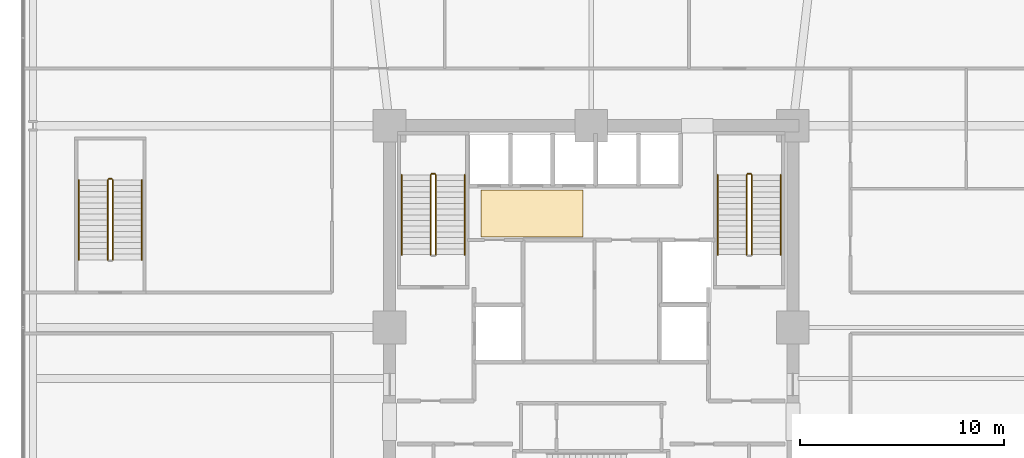
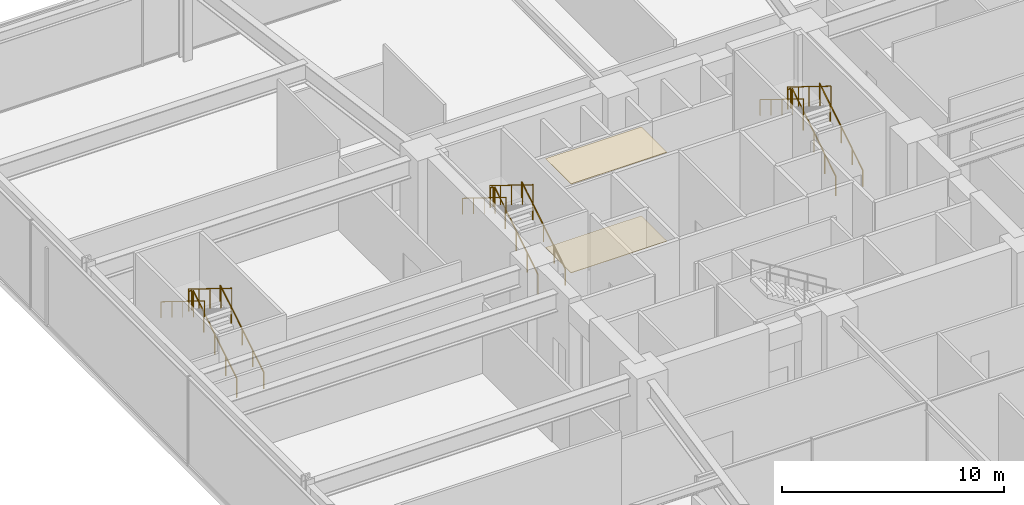
# One storey, part 48 of 49: 15 railings, 2 coverings.
"""IFC4 building model written with IfcOpenShell, lengths in metres."""

from ifc_helpers import new_model, si_unit, direction, frame, origin, origin_2d, place, context, subcontext, project, spatial, polyline, circle, outline, extrude, material, layer, layer_set, type_object, element, save


model = new_model("IFC4")

# Units and contexts
model_context = context("Model", 3, precision=1e-05, world=origin(), true_north=direction((0.0, 1.0)))
body_context = subcontext(model_context, "Body", "Model", "MODEL_VIEW")
ifc_project = project(units=[si_unit("LENGTHUNIT", "METRE"), si_unit("AREAUNIT", "SQUARE_METRE"), si_unit("VOLUMEUNIT", "CUBIC_METRE"), si_unit("PLANEANGLEUNIT", "RADIAN"), si_unit("MASSUNIT", "GRAM", prefix="KILO")], contexts=[model_context])

# Site, building, storey
site_placement = place(None, origin())
site = spatial("IfcSite", under=ifc_project, at=site_placement, CompositionType="ELEMENT")
building_placement = place(site_placement, origin())
building = spatial("IfcBuilding", under=site, at=building_placement, Name="Kolvaren Belvedere", CompositionType="ELEMENT")
storey_placement = place(building_placement, frame((0.0, 0.0, 10.0)))
storey = spatial("IfcBuildingStorey", under=building, at=storey_placement, Name="L03", CompositionType="ELEMENT", Elevation=10.0)

# Coverings
ifc_material_1 = material(Name="Acoustic perforated gypsum board", Category="gypsum")
ifc_layer_1 = layer(ifc_material_1, 0.02490234375)
ifc_layer_set_1 = layer_set([ifc_layer_1], Name="Acoustic perforated gypsum board")
covering_type_1 = type_object("IfcCoveringType", Name="COV-CEIL-GYP", PredefinedType="CEILING", material=ifc_layer_set_1)
covering_1_placement = place(storey_placement, frame((0.0, 0.0, 4.89501953125)))
element("IfcCovering", 1, at=covering_1_placement, inside=storey, type_object=covering_type_1, Name="L03 Lift Lobby Acoustic Baffle Ceiling", PredefinedType="CEILING", context=body_context, shape_type="SweptSolid", body=[
    extrude(outline(polyline([(-5.39990234375, 4.449951171875), (-0.39990234375, 4.449951171875), (-0.39990234375, 6.75), (-5.39990234375, 6.75), (-5.39990234375, 4.449951171875)])), origin(), (0.0, 0.0, 1.0), 0.02490234375),
])
ifc_material_2 = material(Name="Honed Cascade basalt stone", Category="masonry")
ifc_layer_2 = layer(ifc_material_2, 0.02490234375)
ifc_layer_set_2 = layer_set([ifc_layer_2], Name="Honed Cascade basalt stone")
covering_type_2 = type_object("IfcCoveringType", Name="COV-FLR-STONE", PredefinedType="FLOORING", material=ifc_layer_set_2)
covering_2_placement = place(storey_placement, origin())
element("IfcCovering", 2, at=covering_2_placement, inside=storey, type_object=covering_type_2, Name="L03 Lift Lobby Finish Flooring", PredefinedType="FLOORING", context=body_context, shape_type="SweptSolid", body=[
    extrude(outline(polyline([(-5.39990234375, 4.449951171875), (-0.39990234375, 4.449951171875), (-0.39990234375, 6.75), (-5.39990234375, 6.75), (-5.39990234375, 4.449951171875)])), origin(), (0.0, 0.0, 1.0), 0.02490234375),
])

# Railings
ifc_material_3 = material(Name="Brushed stainless-steel handrail", Category="steel")
railing_type_1 = type_object("IfcRailingType", Name="RL-HANDRAIL-920", PredefinedType="HANDRAIL", material=ifc_material_3)
railing_1_placement = place(storey_placement, frame((-6.2099609375, 3.570068359375, 0.17333984375)))
element("IfcRailing", 3, at=railing_1_placement, inside=storey, type_object=railing_type_1, Name="L03 ST-1 stair handrail 1", PredefinedType="HANDRAIL", context=body_context, shape_type="SweptSolid", body=[
    extrude(circle(Radius=0.02392578125, at=origin_2d()), frame((0.0, 0.0, 0.8759765625), z_axis=(0.0, 0.850251603719, 0.526376491091), x_axis=(-1.0, 0.0, 0.0)), (0.0, 0.0, 1.0), 4.6103515625),
    extrude(circle(Radius=0.02099609375, at=origin_2d()), origin(), (0.0, 0.0, 1.0), 0.851806640625),
    extrude(circle(Radius=0.02099609375, at=origin_2d()), frame((0.0, 0.97998046875, 0.606689453125)), (0.0, 0.0, 1.0), 0.851806640625),
    extrude(circle(Radius=0.02099609375, at=origin_2d()), frame((0.0, 1.9599609375, 1.21337890625)), (0.0, 0.0, 1.0), 0.851806640625),
    extrude(circle(Radius=0.02099609375, at=origin_2d()), frame((0.0, 2.93994140625, 1.820068359375)), (0.0, 0.0, 1.0), 0.851806640625),
    extrude(circle(Radius=0.02099609375, at=origin_2d()), frame((0.0, 3.919921875, 2.4267578125)), (0.0, 0.0, 1.0), 0.851806640625),
])
railing_2_placement = place(storey_placement, frame((-9.300048828125, 7.489990234375, 2.7734375)))
element("IfcRailing", 4, at=railing_2_placement, inside=storey, type_object=railing_type_1, Name="L03 ST-1 stair handrail 2", PredefinedType="HANDRAIL", context=body_context, shape_type="SweptSolid", body=[
    extrude(circle(Radius=0.02392578125, at=origin_2d()), frame((0.0, 0.0, 0.8759765625), z_axis=(0.0, -0.850275303828, 0.526338206574), x_axis=(1.0, 0.0, 0.0)), (0.0, 0.0, 1.0), 4.610107421875),
    extrude(circle(Radius=0.02099609375, at=origin_2d()), origin(), (0.0, 0.0, 1.0), 0.851806640625),
    extrude(circle(Radius=0.02099609375, at=origin_2d()), frame((0.0, -0.97998046875, 0.606689453125)), (0.0, 0.0, 1.0), 0.851806640625),
    extrude(circle(Radius=0.02099609375, at=origin_2d()), frame((0.0, -1.9599609375, 1.21337890625)), (0.0, 0.0, 1.0), 0.851806640625),
    extrude(circle(Radius=0.02099609375, at=origin_2d()), frame((0.0, -2.93994140625, 1.81982421875)), (0.0, 0.0, 1.0), 0.851806640625),
    extrude(circle(Radius=0.02099609375, at=origin_2d()), frame((0.0, -3.919921875, 2.426513671875)), (0.0, 0.0, 1.0), 0.851806640625),
])
railing_3_placement = place(storey_placement, frame((9.300048828125, 3.570068359375, 0.17333984375)))
element("IfcRailing", 5, at=railing_3_placement, inside=storey, type_object=railing_type_1, Name="L03 ST-2 stair handrail 1", PredefinedType="HANDRAIL", context=body_context, shape_type="SweptSolid", body=[
    extrude(circle(Radius=0.02392578125, at=origin_2d()), frame((0.0, 0.0, 0.8759765625), z_axis=(0.0, 0.850251603719, 0.526376491091), x_axis=(-1.0, 0.0, 0.0)), (0.0, 0.0, 1.0), 4.6103515625),
    extrude(circle(Radius=0.02099609375, at=origin_2d()), origin(), (0.0, 0.0, 1.0), 0.851806640625),
    extrude(circle(Radius=0.02099609375, at=origin_2d()), frame((0.0, 0.97998046875, 0.606689453125)), (0.0, 0.0, 1.0), 0.851806640625),
    extrude(circle(Radius=0.02099609375, at=origin_2d()), frame((0.0, 1.9599609375, 1.21337890625)), (0.0, 0.0, 1.0), 0.851806640625),
    extrude(circle(Radius=0.02099609375, at=origin_2d()), frame((0.0, 2.93994140625, 1.820068359375)), (0.0, 0.0, 1.0), 0.851806640625),
    extrude(circle(Radius=0.02099609375, at=origin_2d()), frame((0.0, 3.919921875, 2.4267578125)), (0.0, 0.0, 1.0), 0.851806640625),
])
railing_4_placement = place(storey_placement, frame((6.2099609375, 7.489990234375, 2.7734375)))
element("IfcRailing", 6, at=railing_4_placement, inside=storey, type_object=railing_type_1, Name="L03 ST-2 stair handrail 2", PredefinedType="HANDRAIL", context=body_context, shape_type="SweptSolid", body=[
    extrude(circle(Radius=0.02392578125, at=origin_2d()), frame((0.0, 0.0, 0.8759765625), z_axis=(0.0, -0.850275303828, 0.526338206574), x_axis=(1.0, 0.0, 0.0)), (0.0, 0.0, 1.0), 4.610107421875),
    extrude(circle(Radius=0.02099609375, at=origin_2d()), origin(), (0.0, 0.0, 1.0), 0.851806640625),
    extrude(circle(Radius=0.02099609375, at=origin_2d()), frame((0.0, -0.97998046875, 0.606689453125)), (0.0, 0.0, 1.0), 0.851806640625),
    extrude(circle(Radius=0.02099609375, at=origin_2d()), frame((0.0, -1.9599609375, 1.21337890625)), (0.0, 0.0, 1.0), 0.851806640625),
    extrude(circle(Radius=0.02099609375, at=origin_2d()), frame((0.0, -2.93994140625, 1.81982421875)), (0.0, 0.0, 1.0), 0.851806640625),
    extrude(circle(Radius=0.02099609375, at=origin_2d()), frame((0.0, -3.919921875, 2.426513671875)), (0.0, 0.0, 1.0), 0.851806640625),
])
railing_5_placement = place(storey_placement, frame((-22.06005859375, 3.320068359375, 0.17333984375)))
element("IfcRailing", 7, at=railing_5_placement, inside=storey, type_object=railing_type_1, Name="L03 ST-P1 stair handrail 1", PredefinedType="HANDRAIL", context=body_context, shape_type="SweptSolid", body=[
    extrude(circle(Radius=0.02392578125, at=origin_2d()), frame((0.0, 0.0, 0.8759765625), z_axis=(0.0, 0.850251603719, 0.526376491091), x_axis=(-1.0, 0.0, 0.0)), (0.0, 0.0, 1.0), 4.6103515625),
    extrude(circle(Radius=0.02099609375, at=origin_2d()), origin(), (0.0, 0.0, 1.0), 0.851806640625),
    extrude(circle(Radius=0.02099609375, at=origin_2d()), frame((0.0, 0.97998046875, 0.606689453125)), (0.0, 0.0, 1.0), 0.851806640625),
    extrude(circle(Radius=0.02099609375, at=origin_2d()), frame((0.0, 1.9599609375, 1.21337890625)), (0.0, 0.0, 1.0), 0.851806640625),
    extrude(circle(Radius=0.02099609375, at=origin_2d()), frame((0.0, 2.93994140625, 1.820068359375)), (0.0, 0.0, 1.0), 0.851806640625),
    extrude(circle(Radius=0.02099609375, at=origin_2d()), frame((0.0, 3.919921875, 2.4267578125)), (0.0, 0.0, 1.0), 0.851806640625),
])
railing_6_placement = place(storey_placement, frame((-25.14990234375, 7.239990234375, 2.7734375)))
element("IfcRailing", 8, at=railing_6_placement, inside=storey, type_object=railing_type_1, Name="L03 ST-P1 stair handrail 2", PredefinedType="HANDRAIL", context=body_context, shape_type="SweptSolid", body=[
    extrude(circle(Radius=0.02392578125, at=origin_2d()), frame((0.0, 0.0, 0.8759765625), z_axis=(0.0, -0.850275303828, 0.526338206574), x_axis=(1.0, 0.0, 0.0)), (0.0, 0.0, 1.0), 4.610107421875),
    extrude(circle(Radius=0.02099609375, at=origin_2d()), origin(), (0.0, 0.0, 1.0), 0.851806640625),
    extrude(circle(Radius=0.02099609375, at=origin_2d()), frame((0.0, -0.97998046875, 0.606689453125)), (0.0, 0.0, 1.0), 0.851806640625),
    extrude(circle(Radius=0.02099609375, at=origin_2d()), frame((0.0, -1.9599609375, 1.21337890625)), (0.0, 0.0, 1.0), 0.851806640625),
    extrude(circle(Radius=0.02099609375, at=origin_2d()), frame((0.0, -2.93994140625, 1.81982421875)), (0.0, 0.0, 1.0), 0.851806640625),
    extrude(circle(Radius=0.02099609375, at=origin_2d()), frame((0.0, -3.919921875, 2.426513671875)), (0.0, 0.0, 1.0), 0.851806640625),
])
ifc_material_4 = material(Name="Painted tubular steel stair guard", Category="steel")
railing_type_2 = type_object("IfcRailingType", Name="RL-STGUARD-1100", PredefinedType="GUARDRAIL", material=ifc_material_4)
railing_7_placement = place(storey_placement, frame((-7.6298828125, 3.570068359375, 0.17333984375)))
element("IfcRailing", 9, at=railing_7_placement, inside=storey, type_object=railing_type_2, Name="L03 ST-1 stair guard 1", PredefinedType="GUARDRAIL", context=body_context, shape_type="SweptSolid", body=[
    extrude(circle(Radius=0.02392578125, at=origin_2d()), frame((0.0, 0.0, 1.076171875), z_axis=(0.0, 0.850251603719, 0.526376491091), x_axis=(-1.0, 0.0, 0.0)), (0.0, 0.0, 1.0), 4.6103515625),
    extrude(circle(Radius=0.02099609375, at=origin_2d()), origin(), (0.0, 0.0, 1.0), 1.052001953125),
    extrude(circle(Radius=0.02099609375, at=origin_2d()), frame((0.0, 0.97998046875, 0.606689453125)), (0.0, 0.0, 1.0), 1.052001953125),
    extrude(circle(Radius=0.02099609375, at=origin_2d()), frame((0.0, 1.9599609375, 1.21337890625)), (0.0, 0.0, 1.0), 1.052001953125),
    extrude(circle(Radius=0.02099609375, at=origin_2d()), frame((0.0, 2.93994140625, 1.820068359375)), (0.0, 0.0, 1.0), 1.052001953125),
    extrude(circle(Radius=0.02099609375, at=origin_2d()), frame((0.0, 3.919921875, 2.4267578125)), (0.0, 0.0, 1.0), 1.052001953125),
])
railing_8_placement = place(storey_placement, frame((-7.679931640625, 7.5400390625, 2.60009765625)))
element("IfcRailing", 10, at=railing_8_placement, inside=storey, type_object=railing_type_2, Name="L03 ST-1 stair guard 2", PredefinedType="GUARDRAIL", context=body_context, shape_type="SweptSolid", body=[
    extrude(circle(Radius=0.02392578125, at=origin_2d()), frame((0.0, 0.0, 1.076171875), z_axis=(-1.0, 0.0, 0.0), x_axis=(0.0, -1.0, 0.0)), (0.0, 0.0, 1.0), 0.150146484375),
    extrude(circle(Radius=0.02099609375, at=origin_2d()), origin(), (0.0, 0.0, 1.0), 1.052001953125),
    extrude(circle(Radius=0.02099609375, at=origin_2d()), frame((-0.150146484375, 0.0, 0.0)), (0.0, 0.0, 1.0), 1.052001953125),
])
railing_9_placement = place(storey_placement, frame((-7.8798828125, 7.489990234375, 2.7734375)))
element("IfcRailing", 11, at=railing_9_placement, inside=storey, type_object=railing_type_2, Name="L03 ST-1 stair guard 3", PredefinedType="GUARDRAIL", context=body_context, shape_type="SweptSolid", body=[
    extrude(circle(Radius=0.02392578125, at=origin_2d()), frame((0.0, 0.0, 1.076171875), z_axis=(0.0, -0.850275303828, 0.526338206574), x_axis=(1.0, 0.0, 0.0)), (0.0, 0.0, 1.0), 4.610107421875),
    extrude(circle(Radius=0.02099609375, at=origin_2d()), origin(), (0.0, 0.0, 1.0), 1.052001953125),
    extrude(circle(Radius=0.02099609375, at=origin_2d()), frame((0.0, -0.97998046875, 0.606689453125)), (0.0, 0.0, 1.0), 1.052001953125),
    extrude(circle(Radius=0.02099609375, at=origin_2d()), frame((0.0, -1.9599609375, 1.21337890625)), (0.0, 0.0, 1.0), 1.052001953125),
    extrude(circle(Radius=0.02099609375, at=origin_2d()), frame((0.0, -2.93994140625, 1.81982421875)), (0.0, 0.0, 1.0), 1.052001953125),
    extrude(circle(Radius=0.02099609375, at=origin_2d()), frame((0.0, -3.919921875, 2.426513671875)), (0.0, 0.0, 1.0), 1.052001953125),
])
railing_10_placement = place(storey_placement, frame((7.8798828125, 3.570068359375, 0.17333984375)))
element("IfcRailing", 12, at=railing_10_placement, inside=storey, type_object=railing_type_2, Name="L03 ST-2 stair guard 1", PredefinedType="GUARDRAIL", context=body_context, shape_type="SweptSolid", body=[
    extrude(circle(Radius=0.02392578125, at=origin_2d()), frame((0.0, 0.0, 1.076171875), z_axis=(0.0, 0.850251603719, 0.526376491091), x_axis=(-1.0, 0.0, 0.0)), (0.0, 0.0, 1.0), 4.6103515625),
    extrude(circle(Radius=0.02099609375, at=origin_2d()), origin(), (0.0, 0.0, 1.0), 1.052001953125),
    extrude(circle(Radius=0.02099609375, at=origin_2d()), frame((0.0, 0.97998046875, 0.606689453125)), (0.0, 0.0, 1.0), 1.052001953125),
    extrude(circle(Radius=0.02099609375, at=origin_2d()), frame((0.0, 1.9599609375, 1.21337890625)), (0.0, 0.0, 1.0), 1.052001953125),
    extrude(circle(Radius=0.02099609375, at=origin_2d()), frame((0.0, 2.93994140625, 1.820068359375)), (0.0, 0.0, 1.0), 1.052001953125),
    extrude(circle(Radius=0.02099609375, at=origin_2d()), frame((0.0, 3.919921875, 2.4267578125)), (0.0, 0.0, 1.0), 1.052001953125),
])
railing_11_placement = place(storey_placement, frame((7.830078125, 7.5400390625, 2.60009765625)))
element("IfcRailing", 13, at=railing_11_placement, inside=storey, type_object=railing_type_2, Name="L03 ST-2 stair guard 2", PredefinedType="GUARDRAIL", context=body_context, shape_type="SweptSolid", body=[
    extrude(circle(Radius=0.02392578125, at=origin_2d()), frame((0.0, 0.0, 1.076171875), z_axis=(-1.0, 0.0, 0.0), x_axis=(0.0, -1.0, 0.0)), (0.0, 0.0, 1.0), 0.150146484375),
    extrude(circle(Radius=0.02099609375, at=origin_2d()), origin(), (0.0, 0.0, 1.0), 1.052001953125),
    extrude(circle(Radius=0.02099609375, at=origin_2d()), frame((-0.150146484375, 0.0, 0.0)), (0.0, 0.0, 1.0), 1.052001953125),
])
railing_12_placement = place(storey_placement, frame((7.6298828125, 7.489990234375, 2.7734375)))
element("IfcRailing", 14, at=railing_12_placement, inside=storey, type_object=railing_type_2, Name="L03 ST-2 stair guard 3", PredefinedType="GUARDRAIL", context=body_context, shape_type="SweptSolid", body=[
    extrude(circle(Radius=0.02392578125, at=origin_2d()), frame((0.0, 0.0, 1.076171875), z_axis=(0.0, -0.850275303828, 0.526338206574), x_axis=(1.0, 0.0, 0.0)), (0.0, 0.0, 1.0), 4.610107421875),
    extrude(circle(Radius=0.02099609375, at=origin_2d()), origin(), (0.0, 0.0, 1.0), 1.052001953125),
    extrude(circle(Radius=0.02099609375, at=origin_2d()), frame((0.0, -0.97998046875, 0.606689453125)), (0.0, 0.0, 1.0), 1.052001953125),
    extrude(circle(Radius=0.02099609375, at=origin_2d()), frame((0.0, -1.9599609375, 1.21337890625)), (0.0, 0.0, 1.0), 1.052001953125),
    extrude(circle(Radius=0.02099609375, at=origin_2d()), frame((0.0, -2.93994140625, 1.81982421875)), (0.0, 0.0, 1.0), 1.052001953125),
    extrude(circle(Radius=0.02099609375, at=origin_2d()), frame((0.0, -3.919921875, 2.426513671875)), (0.0, 0.0, 1.0), 1.052001953125),
])
railing_13_placement = place(storey_placement, frame((-23.47998046875, 3.320068359375, 0.17333984375)))
element("IfcRailing", 15, at=railing_13_placement, inside=storey, type_object=railing_type_2, Name="L03 ST-P1 stair guard 1", PredefinedType="GUARDRAIL", context=body_context, shape_type="SweptSolid", body=[
    extrude(circle(Radius=0.02392578125, at=origin_2d()), frame((0.0, 0.0, 1.076171875), z_axis=(0.0, 0.850251603719, 0.526376491091), x_axis=(-1.0, 0.0, 0.0)), (0.0, 0.0, 1.0), 4.6103515625),
    extrude(circle(Radius=0.02099609375, at=origin_2d()), origin(), (0.0, 0.0, 1.0), 1.052001953125),
    extrude(circle(Radius=0.02099609375, at=origin_2d()), frame((0.0, 0.97998046875, 0.606689453125)), (0.0, 0.0, 1.0), 1.052001953125),
    extrude(circle(Radius=0.02099609375, at=origin_2d()), frame((0.0, 1.9599609375, 1.21337890625)), (0.0, 0.0, 1.0), 1.052001953125),
    extrude(circle(Radius=0.02099609375, at=origin_2d()), frame((0.0, 2.93994140625, 1.820068359375)), (0.0, 0.0, 1.0), 1.052001953125),
    extrude(circle(Radius=0.02099609375, at=origin_2d()), frame((0.0, 3.919921875, 2.4267578125)), (0.0, 0.0, 1.0), 1.052001953125),
])
railing_14_placement = place(storey_placement, frame((-23.530029296875, 7.2900390625, 2.60009765625)))
element("IfcRailing", 16, at=railing_14_placement, inside=storey, type_object=railing_type_2, Name="L03 ST-P1 stair guard 2", PredefinedType="GUARDRAIL", context=body_context, shape_type="SweptSolid", body=[
    extrude(circle(Radius=0.02392578125, at=origin_2d()), frame((0.0, 0.0, 1.076171875), z_axis=(-1.0, 0.0, 0.0), x_axis=(0.0, -1.0, 0.0)), (0.0, 0.0, 1.0), 0.14990234375),
    extrude(circle(Radius=0.02099609375, at=origin_2d()), origin(), (0.0, 0.0, 1.0), 1.052001953125),
    extrude(circle(Radius=0.02099609375, at=origin_2d()), frame((-0.14990234375, 0.0, 0.0)), (0.0, 0.0, 1.0), 1.052001953125),
])
railing_15_placement = place(storey_placement, frame((-23.72998046875, 7.239990234375, 2.7734375)))
element("IfcRailing", 17, at=railing_15_placement, inside=storey, type_object=railing_type_2, Name="L03 ST-P1 stair guard 3", PredefinedType="GUARDRAIL", context=body_context, shape_type="SweptSolid", body=[
    extrude(circle(Radius=0.02392578125, at=origin_2d()), frame((0.0, 0.0, 1.076171875), z_axis=(0.0, -0.850275303828, 0.526338206574), x_axis=(1.0, 0.0, 0.0)), (0.0, 0.0, 1.0), 4.610107421875),
    extrude(circle(Radius=0.02099609375, at=origin_2d()), origin(), (0.0, 0.0, 1.0), 1.052001953125),
    extrude(circle(Radius=0.02099609375, at=origin_2d()), frame((0.0, -0.97998046875, 0.606689453125)), (0.0, 0.0, 1.0), 1.052001953125),
    extrude(circle(Radius=0.02099609375, at=origin_2d()), frame((0.0, -1.9599609375, 1.21337890625)), (0.0, 0.0, 1.0), 1.052001953125),
    extrude(circle(Radius=0.02099609375, at=origin_2d()), frame((0.0, -2.93994140625, 1.81982421875)), (0.0, 0.0, 1.0), 1.052001953125),
    extrude(circle(Radius=0.02099609375, at=origin_2d()), frame((0.0, -3.919921875, 2.426513671875)), (0.0, 0.0, 1.0), 1.052001953125),
])

save(model, "model.ifc")
